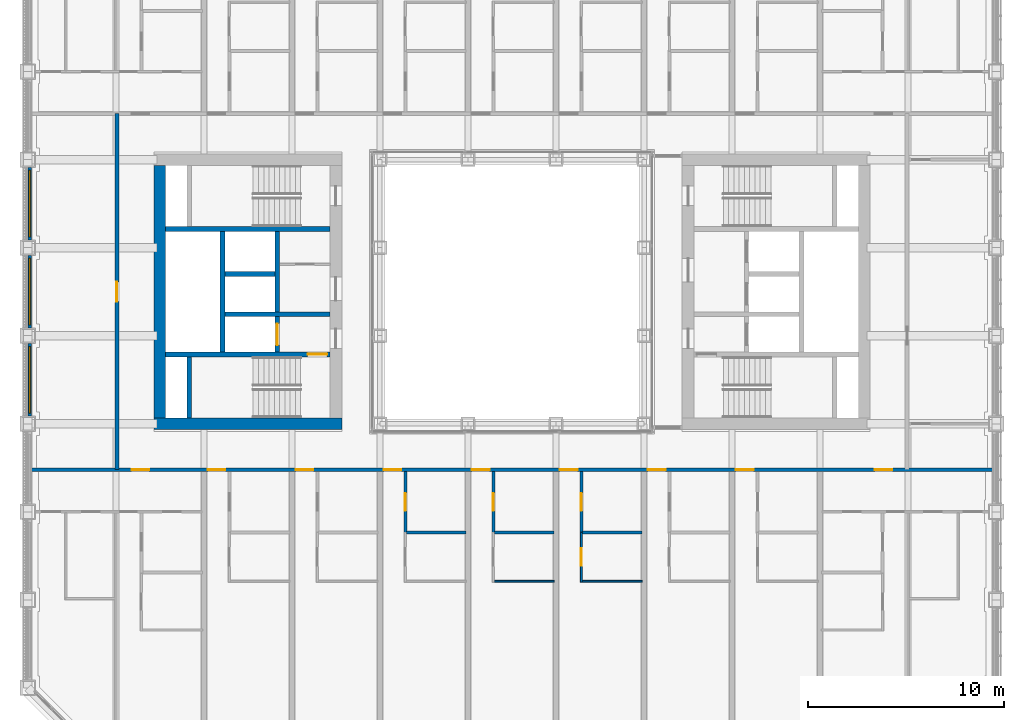
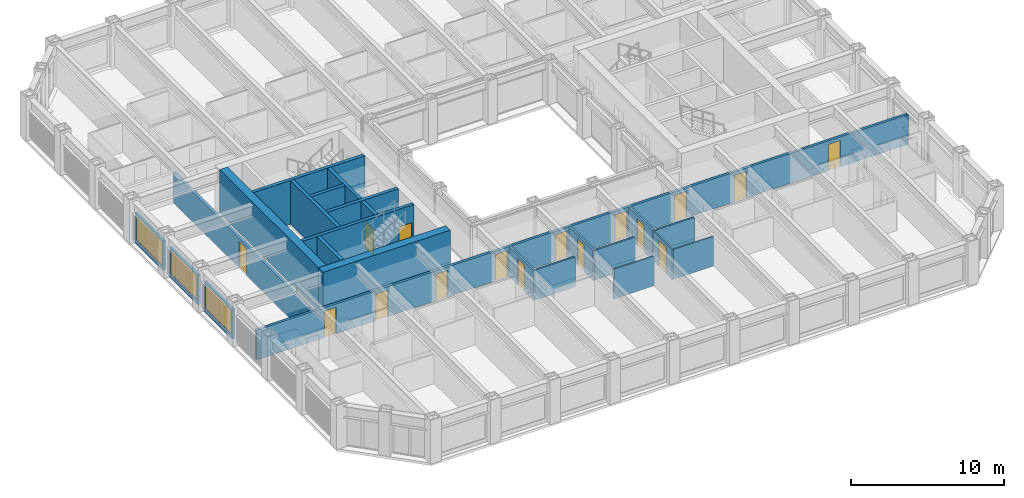
# One storey, part 10 of 21: 23 walls, 16 doors, 3 windows, 19 openings.
"""IFC4 building model written with IfcOpenShell, lengths in metres."""

from ifc_helpers import new_model, si_unit, direction, frame, frame_2d, origin, place, context, subcontext, project, spatial, rectangle, extrude, material, layer, layer_set, type_object, element, fill, save


model = new_model("IFC4")

# Units and contexts
model_context = context("Model", 3, precision=1e-05, world=origin(), true_north=direction((0.0, 1.0)))
body_context = subcontext(model_context, "Body", "Model", "MODEL_VIEW")
ifc_project = project(units=[si_unit("LENGTHUNIT", "METRE"), si_unit("AREAUNIT", "SQUARE_METRE"), si_unit("VOLUMEUNIT", "CUBIC_METRE"), si_unit("PLANEANGLEUNIT", "RADIAN"), si_unit("MASSUNIT", "GRAM", prefix="KILO")], contexts=[model_context])

# Site, building, storey
site_placement = place(None, origin())
site = spatial("IfcSite", under=ifc_project, at=site_placement, CompositionType="ELEMENT")
building_placement = place(site_placement, origin())
building = spatial("IfcBuilding", under=site, at=building_placement, Name="Msasa Ring Tower", CompositionType="ELEMENT")
storey_placement = place(building_placement, frame((0.0, 0.0, 33.5)))
storey = spatial("IfcBuildingStorey", under=building, at=storey_placement, Name="L07", CompositionType="ELEMENT", Elevation=33.5)

# Walls
ifc_material_1 = material(Name="Concrete C60/75", Category="concrete")
ifc_layer_1 = layer(ifc_material_1, 0.60009765625)
ifc_layer_set_1 = layer_set([ifc_layer_1], Name="CW1 CORE WALL 600")
wall_type_1 = type_object("IfcWallType", Name="CW1 CORE WALL 600", PredefinedType="SHEAR", material=ifc_layer_set_1)
wall_1_placement = place(storey_placement, frame((-8.699951171875, -6.75, 0.0), z_axis=(0.0, 0.0, 1.0), x_axis=(-1.0, 0.0, 0.0)))
element("IfcWall", 1, at=wall_1_placement, inside=storey, type_object=wall_type_1, Name="W core wall S L07", PredefinedType="SHEAR", context=body_context, shape_type="SweptSolid", body=[
    extrude(rectangle(XDim=9.60009765625, YDim=0.60009765625, at=frame_2d((4.800048828125, 0.0))), origin(), (0.0, 0.0, 1.0), 3.5),
])
wall_2_placement = place(storey_placement, frame((-18.0, -6.449951171875, 0.0), z_axis=(0.0, 0.0, 1.0), x_axis=(0.0, 1.0, 0.0)))
element("IfcWall", 2, at=wall_2_placement, inside=storey, type_object=wall_type_1, Name="W core wall E L07", PredefinedType="SHEAR", context=body_context, shape_type="SweptSolid", body=[
    extrude(rectangle(XDim=12.89990234375, YDim=0.60009765625, at=frame_2d((6.449951171875, 0.0))), origin(), (0.0, 0.0, 1.0), 3.5),
])

# Wall, opening, door
ifc_material_2 = material(Name="Concrete C60/75", Category="concrete")
ifc_layer_2 = layer(ifc_material_2, 0.25)
ifc_layer_set_2 = layer_set([ifc_layer_2], Name="CW4 CORE INNER WALL 250")
wall_type_2 = type_object("IfcWallType", Name="CW4 CORE INNER WALL 250", PredefinedType="SHEAR", material=ifc_layer_set_2)
wall_3_placement = place(storey_placement, frame((-9.300048828125, -3.199951171875, 0.0), z_axis=(0.0, 0.0, 1.0), x_axis=(-1.0, 0.0, 0.0)))
wall_3 = element("IfcWall", 3, at=wall_3_placement, inside=storey, type_object=wall_type_2, Name="W core wall STAIRA L07", PredefinedType="SHEAR", context=body_context, shape_type="SweptSolid", body=[
    extrude(rectangle(XDim=8.39990234375, YDim=0.25, at=frame_2d((4.199951171875, 0.0))), origin(), (0.0, 0.0, 1.0), 3.5),
])
opening_1_placement = place(wall_3_placement, frame((0.14990234375, 0.0, 0.0)))
opening_1 = element("IfcOpeningElement", 4, at=opening_1_placement, cuts=wall_3, Name="Opening RA-047", PredefinedType="OPENING", context=body_context, shape_type="SweptSolid", body=[
    extrude(rectangle(XDim=1.0, YDim=2.10009765625, at=frame_2d((0.5, 1.050048828125))), frame((0.0, 0.135009765625, 0.0), z_axis=(0.0, -1.0, 0.0), x_axis=(1.0, 0.0, 0.0)), (0.0, 0.0, 1.0), 0.27001953125),
])
ifc_material_3 = material(Name="Timber door leaf in a steel frame", Category="steel")
door_type_1 = type_object("IfcDoorType", Name="D6 STAIR DOOR 1000x2100", OperationType="SINGLE_SWING_LEFT", PredefinedType="DOOR", material=ifc_material_3)
door_1_placement = place(opening_1_placement, origin())
door_1 = element("IfcDoor", 5, at=door_1_placement, inside=storey, type_object=door_type_1, Name="Door L07-WSTA", OperationType="SINGLE_SWING_LEFT", OverallHeight=2.10009765625, OverallWidth=1.0, PredefinedType="DOOR", context=body_context, shape_type="SweptSolid", body=[
    extrude(rectangle(XDim=1.0, YDim=2.10009765625, at=frame_2d((0.5, 1.050048828125))), frame((0.0, 0.02490234375, 0.0), z_axis=(0.0, -1.0, 0.0), x_axis=(1.0, 0.0, 0.0)), (0.0, 0.0, 1.0), 0.050048828125),
])
fill(opening_1, door_1)

# Walls
wall_4_placement = place(storey_placement, frame((-9.300048828125, 3.199951171875, 0.0), z_axis=(0.0, 0.0, 1.0), x_axis=(-1.0, 0.0, 0.0)))
element("IfcWall", 6, at=wall_4_placement, inside=storey, type_object=wall_type_2, Name="W core wall STAIRB L07", PredefinedType="SHEAR", context=body_context, shape_type="SweptSolid", body=[
    extrude(rectangle(XDim=8.39990234375, YDim=0.25, at=frame_2d((4.199951171875, 0.0))), origin(), (0.0, 0.0, 1.0), 3.5),
])
wall_5_placement = place(storey_placement, frame((-16.5, -6.449951171875, 0.0), z_axis=(0.0, 0.0, 1.0), x_axis=(0.0, 1.0, 0.0)))
element("IfcWall", 7, at=wall_5_placement, inside=storey, type_object=wall_type_2, Name="W core wall RISERA L07", PredefinedType="SHEAR", context=body_context, shape_type="SweptSolid", body=[
    extrude(rectangle(XDim=3.125, YDim=0.25, at=frame_2d((1.5625, 0.0))), origin(), (0.0, 0.0, 1.0), 3.5),
])
wall_6_placement = place(storey_placement, frame((-9.300048828125, -1.14990234375, 0.0), z_axis=(0.0, 0.0, 1.0), x_axis=(-1.0, 0.0, 0.0)))
element("IfcWall", 8, at=wall_6_placement, inside=storey, type_object=wall_type_2, Name="W core wall FFL L07", PredefinedType="SHEAR", context=body_context, shape_type="SweptSolid", body=[
    extrude(rectangle(XDim=5.375, YDim=0.25, at=frame_2d((2.6875, 0.0))), origin(), (0.0, 0.0, 1.0), 3.5),
])

# Wall, opening, door
wall_7_placement = place(storey_placement, frame((-12.0, -3.074951171875, 0.0), z_axis=(0.0, 0.0, 1.0), x_axis=(0.0, 1.0, 0.0)))
wall_7 = element("IfcWall", 9, at=wall_7_placement, inside=storey, type_object=wall_type_2, Name="W core wall LOBBY L07", PredefinedType="SHEAR", context=body_context, shape_type="SweptSolid", body=[
    extrude(rectangle(XDim=6.14990234375, YDim=0.25, at=frame_2d((3.074951171875, 0.0))), origin(), (0.0, 0.0, 1.0), 3.5),
])
opening_2_placement = place(wall_7_placement, frame((0.35009765625, 0.0, 0.0)))
opening_2 = element("IfcOpeningElement", 10, at=opening_2_placement, cuts=wall_7, Name="Opening LD1", PredefinedType="OPENING", context=body_context, shape_type="SweptSolid", body=[
    extrude(rectangle(XDim=1.10009765625, YDim=2.10009765625, at=frame_2d((0.550048828125, 1.050048828125))), frame((0.0, 0.135009765625, 0.0), z_axis=(0.0, -1.0, 0.0), x_axis=(1.0, 0.0, 0.0)), (0.0, 0.0, 1.0), 0.27001953125),
])
ifc_material_4 = material(Name="Stainless steel lift landing door", Category="steel")
door_type_2 = type_object("IfcDoorType", Name="LD1 LIFT LANDING DOOR 1100x2100", OperationType="DOUBLE_DOOR_SLIDING", PredefinedType="DOOR", material=ifc_material_4)
door_2_placement = place(opening_2_placement, origin())
door_2 = element("IfcDoor", 11, at=door_2_placement, inside=storey, type_object=door_type_2, Name="Lift landing door FL-W L07", OperationType="DOUBLE_DOOR_SLIDING", OverallHeight=2.10009765625, OverallWidth=1.10009765625, PredefinedType="DOOR", context=body_context, shape_type="SweptSolid", body=[
    extrude(rectangle(XDim=1.10009765625, YDim=2.10009765625, at=frame_2d((0.550048828125, 1.050048828125))), frame((0.0, 0.02490234375, 0.0), z_axis=(0.0, -1.0, 0.0), x_axis=(1.0, 0.0, 0.0)), (0.0, 0.0, 1.0), 0.050048828125),
])
fill(opening_2, door_2)

# Walls
wall_8_placement = place(storey_placement, frame((-14.800048828125, -3.074951171875, 0.0), z_axis=(0.0, 0.0, 1.0), x_axis=(0.0, 1.0, 0.0)))
element("IfcWall", 12, at=wall_8_placement, inside=storey, type_object=wall_type_2, Name="W core wall SHAFT L07", PredefinedType="SHEAR", context=body_context, shape_type="SweptSolid", body=[
    extrude(rectangle(XDim=6.14990234375, YDim=0.25, at=frame_2d((3.074951171875, 0.0))), origin(), (0.0, 0.0, 1.0), 3.5),
])
wall_9_placement = place(storey_placement, frame((-12.125, 0.89990234375, 0.0), z_axis=(0.0, 0.0, 1.0), x_axis=(-1.0, 0.0, 0.0)))
element("IfcWall", 13, at=wall_9_placement, inside=storey, type_object=wall_type_2, Name="W core wall LIFT1 L07", PredefinedType="SHEAR", context=body_context, shape_type="SweptSolid", body=[
    extrude(rectangle(XDim=2.550048828125, YDim=0.25, at=frame_2d((1.27490234375, 0.0))), origin(), (0.0, 0.0, 1.0), 3.5),
])

# Wall, opening, window
ifc_material_5 = material(Name="Terracotta rainscreen on blockwork", Category="masonry")
ifc_layer_3 = layer(ifc_material_5, 0.199951171875)
ifc_layer_set_3 = layer_set([ifc_layer_3], Name="FW1 TERRACOTTA-LINED INFILL BAY WALL 200")
wall_type_3 = type_object("IfcWallType", Name="FW1 TERRACOTTA-LINED INFILL BAY WALL 200", PredefinedType="SOLIDWALL", material=ifc_layer_set_3)
wall_10_placement = place(storey_placement, frame((-24.64990234375, -6.344970703125, 0.0), z_axis=(0.0, 0.0, 1.0), x_axis=(0.0, 1.0, 0.0)))
wall_10 = element("IfcWall", 14, at=wall_10_placement, inside=storey, type_object=wall_type_3, Name="Infill bay wall W L07 36", PredefinedType="SOLIDWALL", context=body_context, shape_type="SweptSolid", body=[
    extrude(rectangle(XDim=3.68994140625, YDim=0.199951171875, at=frame_2d((1.844970703125, 0.0))), origin(), (0.0, 0.0, 1.0), 2.37890625),
])
opening_3_placement = place(wall_10_placement, frame((0.14501953125, 0.0, 0.300048828125)))
opening_3 = element("IfcOpeningElement", 15, at=opening_3_placement, cuts=wall_10, Name="Opening WN1", PredefinedType="OPENING", context=body_context, shape_type="SweptSolid", body=[
    extrude(rectangle(XDim=3.39990234375, YDim=1.928955078125, at=frame_2d((1.699951171875, 0.96435546875))), frame((0.0, 0.10986328125, 0.0), z_axis=(0.0, -1.0, 0.0), x_axis=(1.0, 0.0, 0.0)), (0.0, 0.0, 1.0), 0.219970703125),
])
ifc_material_6 = material(Name="Aluminium frame with clear glass", Category="aluminium")
window_type = type_object("IfcWindowType", Name="WN1 RESIDENCE WINDOW 3400x1929", PartitioningType="SINGLE_PANEL", PredefinedType="WINDOW", material=ifc_material_6)
window_1_placement = place(opening_3_placement, origin())
window_1 = element("IfcWindow", 16, at=window_1_placement, inside=storey, type_object=window_type, Name="Window W L07 36", OverallHeight=1.928955078125, OverallWidth=3.39990234375, PartitioningType="SINGLE_PANEL", PredefinedType="WINDOW", context=body_context, shape_type="SweptSolid", body=[
    extrude(rectangle(XDim=3.39990234375, YDim=1.928955078125, at=frame_2d((1.699951171875, 0.96435546875))), frame((0.0, 0.030029296875, 0.0), z_axis=(0.0, -1.0, 0.0), x_axis=(1.0, 0.0, 0.0)), (0.0, 0.0, 1.0), 0.06005859375),
])
fill(opening_3, window_1)

wall_11_placement = place(storey_placement, frame((-24.64990234375, -1.844970703125, 0.0), z_axis=(0.0, 0.0, 1.0), x_axis=(0.0, 1.0, 0.0)))
wall_11 = element("IfcWall", 17, at=wall_11_placement, inside=storey, type_object=wall_type_3, Name="Infill bay wall W L07 37", PredefinedType="SOLIDWALL", context=body_context, shape_type="SweptSolid", body=[
    extrude(rectangle(XDim=3.68994140625, YDim=0.199951171875, at=frame_2d((1.844970703125, 0.0))), origin(), (0.0, 0.0, 1.0), 2.37890625),
])
opening_4_placement = place(wall_11_placement, frame((0.14501953125, 0.0, 0.300048828125)))
opening_4 = element("IfcOpeningElement", 18, at=opening_4_placement, cuts=wall_11, Name="Opening WN1", PredefinedType="OPENING", context=body_context, shape_type="SweptSolid", body=[
    extrude(rectangle(XDim=3.39990234375, YDim=1.928955078125, at=frame_2d((1.699951171875, 0.96435546875))), frame((0.0, 0.10986328125, 0.0), z_axis=(0.0, -1.0, 0.0), x_axis=(1.0, 0.0, 0.0)), (0.0, 0.0, 1.0), 0.219970703125),
])
window_2_placement = place(opening_4_placement, origin())
window_2 = element("IfcWindow", 19, at=window_2_placement, inside=storey, type_object=window_type, Name="Window W L07 37", OverallHeight=1.928955078125, OverallWidth=3.39990234375, PartitioningType="SINGLE_PANEL", PredefinedType="WINDOW", context=body_context, shape_type="SweptSolid", body=[
    extrude(rectangle(XDim=3.39990234375, YDim=1.928955078125, at=frame_2d((1.699951171875, 0.96435546875))), frame((0.0, 0.030029296875, 0.0), z_axis=(0.0, -1.0, 0.0), x_axis=(1.0, 0.0, 0.0)), (0.0, 0.0, 1.0), 0.06005859375),
])
fill(opening_4, window_2)

wall_12_placement = place(storey_placement, frame((-24.64990234375, 2.655029296875, 0.0), z_axis=(0.0, 0.0, 1.0), x_axis=(0.0, 1.0, 0.0)))
wall_12 = element("IfcWall", 20, at=wall_12_placement, inside=storey, type_object=wall_type_3, Name="Infill bay wall W L07 38", PredefinedType="SOLIDWALL", context=body_context, shape_type="SweptSolid", body=[
    extrude(rectangle(XDim=3.68994140625, YDim=0.199951171875, at=frame_2d((1.844970703125, 0.0))), origin(), (0.0, 0.0, 1.0), 2.37890625),
])
opening_5_placement = place(wall_12_placement, frame((0.14501953125, 0.0, 0.300048828125)))
opening_5 = element("IfcOpeningElement", 21, at=opening_5_placement, cuts=wall_12, Name="Opening WN1", PredefinedType="OPENING", context=body_context, shape_type="SweptSolid", body=[
    extrude(rectangle(XDim=3.39990234375, YDim=1.928955078125, at=frame_2d((1.699951171875, 0.96435546875))), frame((0.0, 0.10986328125, 0.0), z_axis=(0.0, -1.0, 0.0), x_axis=(1.0, 0.0, 0.0)), (0.0, 0.0, 1.0), 0.219970703125),
])
window_3_placement = place(opening_5_placement, origin())
window_3 = element("IfcWindow", 22, at=window_3_placement, inside=storey, type_object=window_type, Name="Window W L07 38", OverallHeight=1.928955078125, OverallWidth=3.39990234375, PartitioningType="SINGLE_PANEL", PredefinedType="WINDOW", context=body_context, shape_type="SweptSolid", body=[
    extrude(rectangle(XDim=3.39990234375, YDim=1.928955078125, at=frame_2d((1.699951171875, 0.96435546875))), frame((0.0, 0.030029296875, 0.0), z_axis=(0.0, -1.0, 0.0), x_axis=(1.0, 0.0, 0.0)), (0.0, 0.0, 1.0), 0.06005859375),
])
fill(opening_5, window_3)

# Wall, openings, doors
ifc_material_7 = material(Name="Concrete blockwork", Category="masonry")
ifc_layer_4 = layer(ifc_material_7, 0.199951171875)
ifc_layer_set_4 = layer_set([ifc_layer_4], Name="PT1 CORRIDOR WALL 200")
wall_type_4 = type_object("IfcWallType", Name="PT1 CORRIDOR WALL 200", PredefinedType="PARTITIONING", material=ifc_layer_set_4)
wall_13_placement = place(storey_placement, frame((-24.550048828125, -9.10009765625, 0.0), z_axis=(0.0, 0.0, 1.0), x_axis=(1.0, 0.0, 0.0)))
wall_13 = element("IfcWall", 23, at=wall_13_placement, inside=storey, type_object=wall_type_4, Name="Corridor wall L07-CORRS0", PredefinedType="PARTITIONING", context=body_context, shape_type="SweptSolid", body=[
    extrude(rectangle(XDim=49.10009765625, YDim=0.199951171875, at=frame_2d((24.550048828125, 0.0))), origin(), (0.0, 0.0, 1.0), 2.373291015625),
])
opening_6_placement = place(wall_13_placement, frame((5.10009765625, 0.0, 0.0)))
opening_6 = element("IfcOpeningElement", 24, at=opening_6_placement, cuts=wall_13, Name="Opening RA-051", PredefinedType="OPENING", context=body_context, shape_type="SweptSolid", body=[
    extrude(rectangle(XDim=0.89990234375, YDim=2.10009765625, at=frame_2d((0.449951171875, 1.050048828125))), frame((0.0, 0.10986328125, 0.0), z_axis=(0.0, -1.0, 0.0), x_axis=(1.0, 0.0, 0.0)), (0.0, 0.0, 1.0), 0.219970703125),
])
opening_7_placement = place(wall_13_placement, frame((9.0, 0.0, 0.0)))
opening_7 = element("IfcOpeningElement", 25, at=opening_7_placement, cuts=wall_13, Name="Opening RA-052", PredefinedType="OPENING", context=body_context, shape_type="SweptSolid", body=[
    extrude(rectangle(XDim=0.89990234375, YDim=2.10009765625, at=frame_2d((0.449951171875, 1.050048828125))), frame((0.0, 0.10986328125, 0.0), z_axis=(0.0, -1.0, 0.0), x_axis=(1.0, 0.0, 0.0)), (0.0, 0.0, 1.0), 0.219970703125),
])
opening_8_placement = place(wall_13_placement, frame((13.5, 0.0, 0.0)))
opening_8 = element("IfcOpeningElement", 26, at=opening_8_placement, cuts=wall_13, Name="Opening RA-053", PredefinedType="OPENING", context=body_context, shape_type="SweptSolid", body=[
    extrude(rectangle(XDim=0.89990234375, YDim=2.10009765625, at=frame_2d((0.449951171875, 1.050048828125))), frame((0.0, 0.10986328125, 0.0), z_axis=(0.0, -1.0, 0.0), x_axis=(1.0, 0.0, 0.0)), (0.0, 0.0, 1.0), 0.219970703125),
])
opening_9_placement = place(wall_13_placement, frame((18.0, 0.0, 0.0)))
opening_9 = element("IfcOpeningElement", 27, at=opening_9_placement, cuts=wall_13, Name="Opening RA-054", PredefinedType="OPENING", context=body_context, shape_type="SweptSolid", body=[
    extrude(rectangle(XDim=0.89990234375, YDim=2.10009765625, at=frame_2d((0.449951171875, 1.050048828125))), frame((0.0, 0.10986328125, 0.0), z_axis=(0.0, -1.0, 0.0), x_axis=(1.0, 0.0, 0.0)), (0.0, 0.0, 1.0), 0.219970703125),
])
opening_10_placement = place(wall_13_placement, frame((22.5, 0.0, 0.0)))
opening_10 = element("IfcOpeningElement", 28, at=opening_10_placement, cuts=wall_13, Name="Opening RA-055", PredefinedType="OPENING", context=body_context, shape_type="SweptSolid", body=[
    extrude(rectangle(XDim=0.89990234375, YDim=2.10009765625, at=frame_2d((0.449951171875, 1.050048828125))), frame((0.0, 0.10986328125, 0.0), z_axis=(0.0, -1.0, 0.0), x_axis=(1.0, 0.0, 0.0)), (0.0, 0.0, 1.0), 0.219970703125),
])
opening_11_placement = place(wall_13_placement, frame((27.0, 0.0, 0.0)))
opening_11 = element("IfcOpeningElement", 29, at=opening_11_placement, cuts=wall_13, Name="Opening RA-056", PredefinedType="OPENING", context=body_context, shape_type="SweptSolid", body=[
    extrude(rectangle(XDim=0.89990234375, YDim=2.10009765625, at=frame_2d((0.449951171875, 1.050048828125))), frame((0.0, 0.10986328125, 0.0), z_axis=(0.0, -1.0, 0.0), x_axis=(1.0, 0.0, 0.0)), (0.0, 0.0, 1.0), 0.219970703125),
])
opening_12_placement = place(wall_13_placement, frame((31.5, 0.0, 0.0)))
opening_12 = element("IfcOpeningElement", 30, at=opening_12_placement, cuts=wall_13, Name="Opening RA-057", PredefinedType="OPENING", context=body_context, shape_type="SweptSolid", body=[
    extrude(rectangle(XDim=0.89990234375, YDim=2.10009765625, at=frame_2d((0.449951171875, 1.050048828125))), frame((0.0, 0.10986328125, 0.0), z_axis=(0.0, -1.0, 0.0), x_axis=(1.0, 0.0, 0.0)), (0.0, 0.0, 1.0), 0.219970703125),
])
opening_13_placement = place(wall_13_placement, frame((36.0, 0.0, 0.0)))
opening_13 = element("IfcOpeningElement", 31, at=opening_13_placement, cuts=wall_13, Name="Opening RA-058", PredefinedType="OPENING", context=body_context, shape_type="SweptSolid", body=[
    extrude(rectangle(XDim=0.89990234375, YDim=2.10009765625, at=frame_2d((0.449951171875, 1.050048828125))), frame((0.0, 0.10986328125, 0.0), z_axis=(0.0, -1.0, 0.0), x_axis=(1.0, 0.0, 0.0)), (0.0, 0.0, 1.0), 0.219970703125),
])
opening_14_placement = place(wall_13_placement, frame((43.10009765625, 0.0, 0.0)))
opening_14 = element("IfcOpeningElement", 32, at=opening_14_placement, cuts=wall_13, Name="Opening RA-059", PredefinedType="OPENING", context=body_context, shape_type="SweptSolid", body=[
    extrude(rectangle(XDim=0.89990234375, YDim=2.10009765625, at=frame_2d((0.449951171875, 1.050048828125))), frame((0.0, 0.10986328125, 0.0), z_axis=(0.0, -1.0, 0.0), x_axis=(1.0, 0.0, 0.0)), (0.0, 0.0, 1.0), 0.219970703125),
])
ifc_material_8 = material(Name="Timber door leaf in a steel frame", Category="steel")
door_type_3 = type_object("IfcDoorType", Name="D2 ENTRANCE DOOR 900x2100", OperationType="SINGLE_SWING_LEFT", PredefinedType="DOOR", material=ifc_material_8)
door_3_placement = place(opening_6_placement, origin())
door_3 = element("IfcDoor", 33, at=door_3_placement, inside=storey, type_object=door_type_3, Name="Door L07-US00", OperationType="SINGLE_SWING_LEFT", OverallHeight=2.10009765625, OverallWidth=0.89990234375, PredefinedType="DOOR", context=body_context, shape_type="SweptSolid", body=[
    extrude(rectangle(XDim=0.89990234375, YDim=2.10009765625, at=frame_2d((0.449951171875, 1.050048828125))), frame((0.0, 0.02490234375, 0.0), z_axis=(0.0, -1.0, 0.0), x_axis=(1.0, 0.0, 0.0)), (0.0, 0.0, 1.0), 0.050048828125),
])
fill(opening_6, door_3)
door_4_placement = place(opening_7_placement, origin())
door_4 = element("IfcDoor", 34, at=door_4_placement, inside=storey, type_object=door_type_3, Name="Door L07-US01", OperationType="SINGLE_SWING_LEFT", OverallHeight=2.10009765625, OverallWidth=0.89990234375, PredefinedType="DOOR", context=body_context, shape_type="SweptSolid", body=[
    extrude(rectangle(XDim=0.89990234375, YDim=2.10009765625, at=frame_2d((0.449951171875, 1.050048828125))), frame((0.0, 0.02490234375, 0.0), z_axis=(0.0, -1.0, 0.0), x_axis=(1.0, 0.0, 0.0)), (0.0, 0.0, 1.0), 0.050048828125),
])
fill(opening_7, door_4)
door_5_placement = place(opening_8_placement, origin())
door_5 = element("IfcDoor", 35, at=door_5_placement, inside=storey, type_object=door_type_3, Name="Door L07-US02", OperationType="SINGLE_SWING_LEFT", OverallHeight=2.10009765625, OverallWidth=0.89990234375, PredefinedType="DOOR", context=body_context, shape_type="SweptSolid", body=[
    extrude(rectangle(XDim=0.89990234375, YDim=2.10009765625, at=frame_2d((0.449951171875, 1.050048828125))), frame((0.0, 0.02490234375, 0.0), z_axis=(0.0, -1.0, 0.0), x_axis=(1.0, 0.0, 0.0)), (0.0, 0.0, 1.0), 0.050048828125),
])
fill(opening_8, door_5)
door_6_placement = place(opening_9_placement, origin())
door_6 = element("IfcDoor", 36, at=door_6_placement, inside=storey, type_object=door_type_3, Name="Door L07-US03", OperationType="SINGLE_SWING_LEFT", OverallHeight=2.10009765625, OverallWidth=0.89990234375, PredefinedType="DOOR", context=body_context, shape_type="SweptSolid", body=[
    extrude(rectangle(XDim=0.89990234375, YDim=2.10009765625, at=frame_2d((0.449951171875, 1.050048828125))), frame((0.0, 0.02490234375, 0.0), z_axis=(0.0, -1.0, 0.0), x_axis=(1.0, 0.0, 0.0)), (0.0, 0.0, 1.0), 0.050048828125),
])
fill(opening_9, door_6)
door_7_placement = place(opening_10_placement, origin())
door_7 = element("IfcDoor", 37, at=door_7_placement, inside=storey, type_object=door_type_3, Name="Door L07-US04", OperationType="SINGLE_SWING_LEFT", OverallHeight=2.10009765625, OverallWidth=0.89990234375, PredefinedType="DOOR", context=body_context, shape_type="SweptSolid", body=[
    extrude(rectangle(XDim=0.89990234375, YDim=2.10009765625, at=frame_2d((0.449951171875, 1.050048828125))), frame((0.0, 0.02490234375, 0.0), z_axis=(0.0, -1.0, 0.0), x_axis=(1.0, 0.0, 0.0)), (0.0, 0.0, 1.0), 0.050048828125),
])
fill(opening_10, door_7)
door_8_placement = place(opening_11_placement, origin())
door_8 = element("IfcDoor", 38, at=door_8_placement, inside=storey, type_object=door_type_3, Name="Door L07-US05", OperationType="SINGLE_SWING_RIGHT", OverallHeight=2.10009765625, OverallWidth=0.89990234375, PredefinedType="DOOR", context=body_context, shape_type="SweptSolid", body=[
    extrude(rectangle(XDim=0.89990234375, YDim=2.10009765625, at=frame_2d((0.449951171875, 1.050048828125))), frame((0.0, 0.02490234375, 0.0), z_axis=(0.0, -1.0, 0.0), x_axis=(1.0, 0.0, 0.0)), (0.0, 0.0, 1.0), 0.050048828125),
])
fill(opening_11, door_8)
door_9_placement = place(opening_12_placement, origin())
door_9 = element("IfcDoor", 39, at=door_9_placement, inside=storey, type_object=door_type_3, Name="Door L07-US06", OperationType="SINGLE_SWING_RIGHT", OverallHeight=2.10009765625, OverallWidth=0.89990234375, PredefinedType="DOOR", context=body_context, shape_type="SweptSolid", body=[
    extrude(rectangle(XDim=0.89990234375, YDim=2.10009765625, at=frame_2d((0.449951171875, 1.050048828125))), frame((0.0, 0.02490234375, 0.0), z_axis=(0.0, -1.0, 0.0), x_axis=(1.0, 0.0, 0.0)), (0.0, 0.0, 1.0), 0.050048828125),
])
fill(opening_12, door_9)
door_10_placement = place(opening_13_placement, origin())
door_10 = element("IfcDoor", 40, at=door_10_placement, inside=storey, type_object=door_type_3, Name="Door L07-US07", OperationType="SINGLE_SWING_RIGHT", OverallHeight=2.10009765625, OverallWidth=0.89990234375, PredefinedType="DOOR", context=body_context, shape_type="SweptSolid", body=[
    extrude(rectangle(XDim=0.89990234375, YDim=2.10009765625, at=frame_2d((0.449951171875, 1.050048828125))), frame((0.0, 0.02490234375, 0.0), z_axis=(0.0, -1.0, 0.0), x_axis=(1.0, 0.0, 0.0)), (0.0, 0.0, 1.0), 0.050048828125),
])
fill(opening_13, door_10)
door_11_placement = place(opening_14_placement, origin())
door_11 = element("IfcDoor", 41, at=door_11_placement, inside=storey, type_object=door_type_3, Name="Door L07-US08", OperationType="SINGLE_SWING_RIGHT", OverallHeight=2.10009765625, OverallWidth=0.89990234375, PredefinedType="DOOR", context=body_context, shape_type="SweptSolid", body=[
    extrude(rectangle(XDim=0.89990234375, YDim=2.10009765625, at=frame_2d((0.449951171875, 1.050048828125))), frame((0.0, 0.02490234375, 0.0), z_axis=(0.0, -1.0, 0.0), x_axis=(1.0, 0.0, 0.0)), (0.0, 0.0, 1.0), 0.050048828125),
])
fill(opening_14, door_11)

# Wall, opening, door
wall_14_placement = place(storey_placement, frame((-20.199951171875, -9.10009765625, 0.0), z_axis=(0.0, 0.0, 1.0), x_axis=(0.0, 1.0, 0.0)))
wall_14 = element("IfcWall", 42, at=wall_14_placement, inside=storey, type_object=wall_type_4, Name="Corridor wall L07-STRW", PredefinedType="PARTITIONING", context=body_context, shape_type="SweptSolid", body=[
    extrude(rectangle(XDim=18.2001953125, YDim=0.199951171875, at=frame_2d((9.10009765625, 0.0))), origin(), (0.0, 0.0, 1.0), 2.373291015625),
])
opening_15_placement = place(wall_14_placement, frame((8.60009765625, 0.0, 0.0)))
opening_15 = element("IfcOpeningElement", 43, at=opening_15_placement, cuts=wall_14, Name="Opening RA-043", PredefinedType="OPENING", context=body_context, shape_type="SweptSolid", body=[
    extrude(rectangle(XDim=1.0, YDim=2.10009765625, at=frame_2d((0.5, 1.050048828125))), frame((0.0, 0.10986328125, 0.0), z_axis=(0.0, -1.0, 0.0), x_axis=(1.0, 0.0, 0.0)), (0.0, 0.0, 1.0), 0.219970703125),
])
ifc_material_9 = material(Name="Timber door leaf in a steel frame", Category="steel")
door_type_4 = type_object("IfcDoorType", Name="D10 STORE DOOR 1000x2100", OperationType="SINGLE_SWING_LEFT", PredefinedType="DOOR", material=ifc_material_9)
door_12_placement = place(opening_15_placement, origin())
door_12 = element("IfcDoor", 44, at=door_12_placement, inside=storey, type_object=door_type_4, Name="Door L07-RSW", OperationType="SINGLE_SWING_LEFT", OverallHeight=2.10009765625, OverallWidth=1.0, PredefinedType="DOOR", context=body_context, shape_type="SweptSolid", body=[
    extrude(rectangle(XDim=1.0, YDim=2.10009765625, at=frame_2d((0.5, 1.050048828125))), frame((0.0, 0.02490234375, 0.0), z_axis=(0.0, -1.0, 0.0), x_axis=(1.0, 0.0, 0.0)), (0.0, 0.0, 1.0), 0.050048828125),
])
fill(opening_15, door_12)

# Walls
ifc_material_10 = material(Name="Gypsum board on steel studs", Category="steel")
ifc_layer_5 = layer(ifc_material_10, 0.10009765625)
ifc_layer_set_5 = layer_set([ifc_layer_5], Name="PT2 STUD PARTITION 100")
wall_type_5 = type_object("IfcWallType", Name="PT2 STUD PARTITION 100", PredefinedType="PARTITIONING", material=ifc_layer_set_5)
for number, where, z_axis, x_axis, name in (
    (45, (-0.89990234375, -14.800048828125, 0.0), (0.0, 0.0, 1.0), (1.0, 0.0, 0.0), "Partition L07-US04KY"),
    (46, (3.60009765625, -14.800048828125, 0.0), (0.0, 0.0, 1.0), (1.0, 0.0, 0.0), "Partition L07-US05KY"),
):
    element("IfcWall", number, at=place(storey_placement, frame(where, z_axis=z_axis, x_axis=x_axis)), inside=storey, type_object=wall_type_5, Name=name, PredefinedType="PARTITIONING", context=body_context, shape_type="SweptSolid", body=[
        extrude(rectangle(XDim=3.0498046875, YDim=0.10009765625, at=frame_2d((1.52490234375, 0.0))), origin(), (0.0, 0.0, 1.0), 2.373291015625),
    ])

# Wall, opening, door
wall_15_placement = place(storey_placement, frame((3.550048828125, -14.85009765625, 0.0), z_axis=(0.0, 0.0, 1.0), x_axis=(0.0, 1.0, 0.0)))
wall_15 = element("IfcWall", 47, at=wall_15_placement, inside=storey, type_object=wall_type_5, Name="Partition L07-US05KX", PredefinedType="PARTITIONING", context=body_context, shape_type="SweptSolid", body=[
    extrude(rectangle(XDim=2.550048828125, YDim=0.10009765625, at=frame_2d((1.27490234375, 0.0))), origin(), (0.0, 0.0, 1.0), 2.373291015625),
])
opening_16_placement = place(wall_15_placement, frame((0.840087890625, 0.0, 0.0)))
opening_16 = element("IfcOpeningElement", 48, at=opening_16_placement, cuts=wall_15, Name="Opening RA-081", PredefinedType="OPENING", context=body_context, shape_type="SweptSolid", body=[
    extrude(rectangle(XDim=0.89990234375, YDim=2.10009765625, at=frame_2d((0.449951171875, 1.050048828125))), frame((0.0, 0.06005859375, 0.0), z_axis=(0.0, -1.0, 0.0), x_axis=(1.0, 0.0, 0.0)), (0.0, 0.0, 1.0), 0.1201171875),
])
ifc_material_11 = material(Name="Timber door leaf in a steel frame", Category="steel")
door_type_5 = type_object("IfcDoorType", Name="D22 INTERNAL HALL DOOR 900x2100", OperationType="SINGLE_SWING_LEFT", PredefinedType="DOOR", material=ifc_material_11)
door_13_placement = place(opening_16_placement, origin())
door_13 = element("IfcDoor", 49, at=door_13_placement, inside=storey, type_object=door_type_5, Name="Door L07-US05K", OperationType="SINGLE_SWING_LEFT", OverallHeight=2.10009765625, OverallWidth=0.89990234375, PredefinedType="DOOR", context=body_context, shape_type="SweptSolid", body=[
    extrude(rectangle(XDim=0.89990234375, YDim=2.10009765625, at=frame_2d((0.449951171875, 1.050048828125))), frame((0.0, 0.02490234375, 0.0), z_axis=(0.0, -1.0, 0.0), x_axis=(1.0, 0.0, 0.0)), (0.0, 0.0, 1.0), 0.050048828125),
])
fill(opening_16, door_13)

ifc_material_12 = material(Name="Moisture-resistant board on steel studs with a concealed cistern and pipe void, tiled", Category="steel")
ifc_layer_6 = layer(ifc_material_12, 0.14990234375)
ifc_layer_set_6 = layer_set([ifc_layer_6], Name="PT4 BATHROOM WET WALL 150")
wall_type_6 = type_object("IfcWallType", Name="PT4 BATHROOM WET WALL 150", PredefinedType="PARTITIONING", material=ifc_layer_set_6)
wall_16_placement = place(storey_placement, frame((-5.449951171875, -12.35009765625, 0.0), z_axis=(0.0, 0.0, 1.0), x_axis=(0.0, 1.0, 0.0)))
wall_16 = element("IfcWall", 50, at=wall_16_placement, inside=storey, type_object=wall_type_6, Name="Partition L07-US03BX", PredefinedType="PARTITIONING", context=body_context, shape_type="SweptSolid", body=[
    extrude(rectangle(XDim=3.150146484375, YDim=0.14990234375, at=frame_2d((1.5751953125, 0.0))), origin(), (0.0, 0.0, 1.0), 2.373291015625),
])
opening_17_placement = place(wall_16_placement, frame((1.14990234375, 0.0, 0.0)))
opening_17 = element("IfcOpeningElement", 51, at=opening_17_placement, cuts=wall_16, Name="Opening RA-062", PredefinedType="OPENING", context=body_context, shape_type="SweptSolid", body=[
    extrude(rectangle(XDim=0.89990234375, YDim=2.10009765625, at=frame_2d((0.449951171875, 1.050048828125))), frame((0.0, 0.0849609375, 0.0), z_axis=(0.0, -1.0, 0.0), x_axis=(1.0, 0.0, 0.0)), (0.0, 0.0, 1.0), 0.169921875),
])
ifc_material_13 = material(Name="Timber door leaf in a steel frame", Category="steel")
door_type_6 = type_object("IfcDoorType", Name="D3 BATHROOM DOOR 900x2100", OperationType="SINGLE_SWING_LEFT", PredefinedType="DOOR", material=ifc_material_13)
door_14_placement = place(opening_17_placement, origin())
door_14 = element("IfcDoor", 52, at=door_14_placement, inside=storey, type_object=door_type_6, Name="Door L07-US03B", OperationType="SINGLE_SWING_LEFT", OverallHeight=2.10009765625, OverallWidth=0.89990234375, PredefinedType="DOOR", context=body_context, shape_type="SweptSolid", body=[
    extrude(rectangle(XDim=0.89990234375, YDim=2.10009765625, at=frame_2d((0.449951171875, 1.050048828125))), frame((0.0, 0.02490234375, 0.0), z_axis=(0.0, -1.0, 0.0), x_axis=(1.0, 0.0, 0.0)), (0.0, 0.0, 1.0), 0.050048828125),
])
fill(opening_17, door_14)

# Wall
wall_17_placement = place(storey_placement, frame((-5.39990234375, -12.300048828125, 0.0), z_axis=(0.0, 0.0, 1.0), x_axis=(1.0, 0.0, 0.0)))
element("IfcWall", 53, at=wall_17_placement, inside=storey, type_object=wall_type_6, Name="Partition L07-US03BY", PredefinedType="PARTITIONING", context=body_context, shape_type="SweptSolid", body=[
    extrude(rectangle(XDim=3.0498046875, YDim=0.14990234375, at=frame_2d((1.52490234375, 0.0))), origin(), (0.0, 0.0, 1.0), 2.373291015625),
])

# Wall, opening, door
wall_18_placement = place(storey_placement, frame((-0.949951171875, -12.35009765625, 0.0), z_axis=(0.0, 0.0, 1.0), x_axis=(0.0, 1.0, 0.0)))
wall_18 = element("IfcWall", 54, at=wall_18_placement, inside=storey, type_object=wall_type_6, Name="Partition L07-US04BX", PredefinedType="PARTITIONING", context=body_context, shape_type="SweptSolid", body=[
    extrude(rectangle(XDim=3.150146484375, YDim=0.14990234375, at=frame_2d((1.5751953125, 0.0))), origin(), (0.0, 0.0, 1.0), 2.373291015625),
])
opening_18_placement = place(wall_18_placement, frame((1.14990234375, 0.0, 0.0)))
opening_18 = element("IfcOpeningElement", 55, at=opening_18_placement, cuts=wall_18, Name="Opening RA-063", PredefinedType="OPENING", context=body_context, shape_type="SweptSolid", body=[
    extrude(rectangle(XDim=0.89990234375, YDim=2.10009765625, at=frame_2d((0.449951171875, 1.050048828125))), frame((0.0, 0.0849609375, 0.0), z_axis=(0.0, -1.0, 0.0), x_axis=(1.0, 0.0, 0.0)), (0.0, 0.0, 1.0), 0.169921875),
])
door_15_placement = place(opening_18_placement, origin())
door_15 = element("IfcDoor", 56, at=door_15_placement, inside=storey, type_object=door_type_6, Name="Door L07-US04B", OperationType="SINGLE_SWING_LEFT", OverallHeight=2.10009765625, OverallWidth=0.89990234375, PredefinedType="DOOR", context=body_context, shape_type="SweptSolid", body=[
    extrude(rectangle(XDim=0.89990234375, YDim=2.10009765625, at=frame_2d((0.449951171875, 1.050048828125))), frame((0.0, 0.02490234375, 0.0), z_axis=(0.0, -1.0, 0.0), x_axis=(1.0, 0.0, 0.0)), (0.0, 0.0, 1.0), 0.050048828125),
])
fill(opening_18, door_15)

# Wall
wall_19_placement = place(storey_placement, frame((-0.89990234375, -12.300048828125, 0.0), z_axis=(0.0, 0.0, 1.0), x_axis=(1.0, 0.0, 0.0)))
element("IfcWall", 57, at=wall_19_placement, inside=storey, type_object=wall_type_6, Name="Partition L07-US04BY", PredefinedType="PARTITIONING", context=body_context, shape_type="SweptSolid", body=[
    extrude(rectangle(XDim=3.0498046875, YDim=0.14990234375, at=frame_2d((1.52490234375, 0.0))), origin(), (0.0, 0.0, 1.0), 2.373291015625),
])

# Wall, opening, door
wall_20_placement = place(storey_placement, frame((3.550048828125, -12.35009765625, 0.0), z_axis=(0.0, 0.0, 1.0), x_axis=(0.0, 1.0, 0.0)))
wall_20 = element("IfcWall", 58, at=wall_20_placement, inside=storey, type_object=wall_type_6, Name="Partition L07-US05BX", PredefinedType="PARTITIONING", context=body_context, shape_type="SweptSolid", body=[
    extrude(rectangle(XDim=3.150146484375, YDim=0.14990234375, at=frame_2d((1.5751953125, 0.0))), origin(), (0.0, 0.0, 1.0), 2.373291015625),
])
opening_19_placement = place(wall_20_placement, frame((1.14990234375, 0.0, 0.0)))
opening_19 = element("IfcOpeningElement", 59, at=opening_19_placement, cuts=wall_20, Name="Opening RA-064", PredefinedType="OPENING", context=body_context, shape_type="SweptSolid", body=[
    extrude(rectangle(XDim=0.89990234375, YDim=2.10009765625, at=frame_2d((0.449951171875, 1.050048828125))), frame((0.0, 0.0849609375, 0.0), z_axis=(0.0, -1.0, 0.0), x_axis=(1.0, 0.0, 0.0)), (0.0, 0.0, 1.0), 0.169921875),
])
door_16_placement = place(opening_19_placement, origin())
door_16 = element("IfcDoor", 60, at=door_16_placement, inside=storey, type_object=door_type_6, Name="Door L07-US05B", OperationType="SINGLE_SWING_LEFT", OverallHeight=2.10009765625, OverallWidth=0.89990234375, PredefinedType="DOOR", context=body_context, shape_type="SweptSolid", body=[
    extrude(rectangle(XDim=0.89990234375, YDim=2.10009765625, at=frame_2d((0.449951171875, 1.050048828125))), frame((0.0, 0.02490234375, 0.0), z_axis=(0.0, -1.0, 0.0), x_axis=(1.0, 0.0, 0.0)), (0.0, 0.0, 1.0), 0.050048828125),
])
fill(opening_19, door_16)

# Wall
wall_21_placement = place(storey_placement, frame((3.60009765625, -12.300048828125, 0.0), z_axis=(0.0, 0.0, 1.0), x_axis=(1.0, 0.0, 0.0)))
element("IfcWall", 61, at=wall_21_placement, inside=storey, type_object=wall_type_6, Name="Partition L07-US05BY", PredefinedType="PARTITIONING", context=body_context, shape_type="SweptSolid", body=[
    extrude(rectangle(XDim=3.0498046875, YDim=0.14990234375, at=frame_2d((1.52490234375, 0.0))), origin(), (0.0, 0.0, 1.0), 2.373291015625),
])

save(model, "model.ifc")
